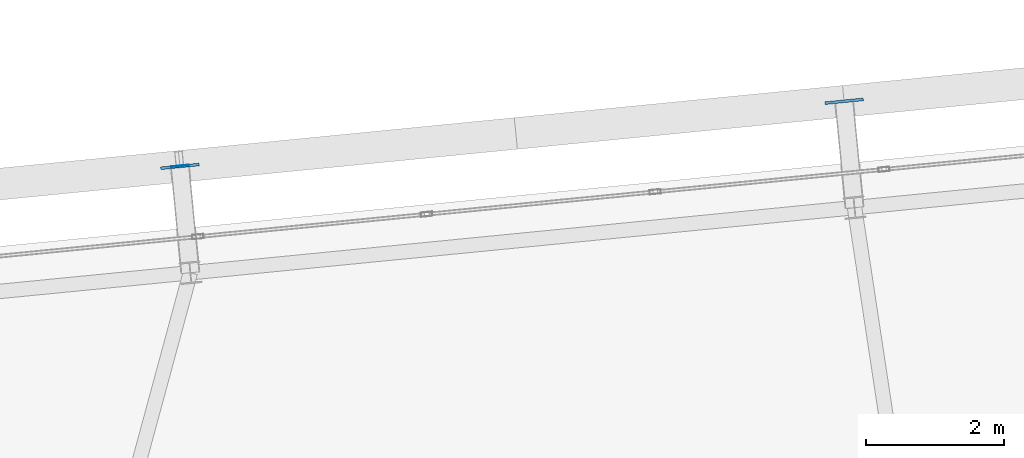
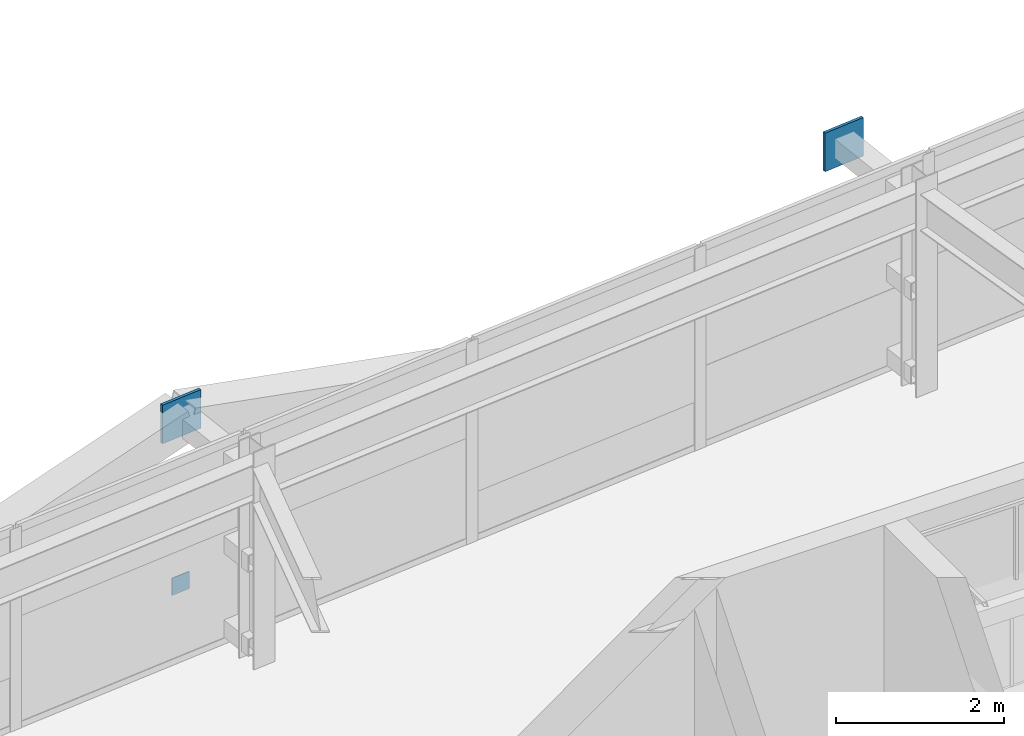
# One storey, part 44 of 52: 3 plates.
"""IFC4 building model written with IfcOpenShell, lengths in metres."""

import ifcopenshell
import ifcopenshell.guid

model = None  # the IFC model being written
_history = None  # IfcOwnerHistory: only IFC2X3 demands one
_inside = {}  # id of a spatial element -> (the spatial element, [elements in it])
_under = {}  # id of a project, library or spatial element -> (it, [spatial elements below it])
_declared = {}  # id of a project -> (the project, [libraries it declares])
_typed = {}  # id of a type object -> (the type object, [elements of that type])
_made_of = {}  # id of a material, layer set ... -> (it, [elements and type objects made of it])


def new_model(schema):
    """Start an empty IFC model of exactly this schema.

    Asked for "IFC4X3", IfcOpenShell would pick the latest addendum, in which some entities
    have other attributes; the version numbers below select the first issue.
    IFC2X3 requires an IfcOwnerHistory on every rooted entity: one is made here for all.
    """
    global model, _history
    if schema == "IFC4X3":
        model = ifcopenshell.file(schema_version=(4, 3, 0, 0))
    else:
        model = ifcopenshell.file(schema=schema)
    _inside.clear()
    _under.clear()
    _declared.clear()
    _typed.clear()
    _made_of.clear()
    _history = None
    if model.schema == "IFC2X3":
        org = make("IfcOrganization", Name="unknown")
        user = make(
            "IfcPersonAndOrganization",
            ThePerson=make("IfcPerson", FamilyName="unknown"),
            TheOrganization=org,
        )
        app = make(
            "IfcApplication",
            ApplicationDeveloper=org,
            Version="unknown",
            ApplicationFullName="unknown",
            ApplicationIdentifier="unknown",
        )
        _history = make(
            "IfcOwnerHistory",
            OwningUser=user,
            OwningApplication=app,
            ChangeAction="ADDED",
            CreationDate=0,
        )
    return model


def make(cls, **values):
    """One entity of the class cls with the attributes given. An attribute that is None is left unset."""
    return model.create_entity(
        cls, **{name: value for name, value in values.items() if value is not None}
    )


def rooted(cls, **values):
    """An entity with a GlobalId (a new one), such as an element, a storey or a relation."""
    return make(cls, GlobalId=ifcopenshell.guid.new(), OwnerHistory=_history, **values)


def si_unit(unit_type, name, prefix=None):
    """IfcSIUnit, for example si_unit("LENGTHUNIT", "METRE", prefix="MILLI")."""
    return make("IfcSIUnit", UnitType=unit_type, Prefix=prefix, Name=name)


def assignment(units):
    """IfcUnitAssignment: the units of a project."""
    return None if units is None else make("IfcUnitAssignment", Units=units)


def point(xyz):
    """IfcCartesianPoint."""
    return None if xyz is None else make("IfcCartesianPoint", Coordinates=xyz)


def direction(xyz):
    """IfcDirection."""
    return None if xyz is None else make("IfcDirection", DirectionRatios=xyz)


def frame(location, z_axis=None, x_axis=None):
    """IfcAxis2Placement3D, a coordinate frame: its origin and axes. An axis left out is left unset."""
    return make(
        "IfcAxis2Placement3D",
        Location=point(location),
        Axis=direction(z_axis),
        RefDirection=direction(x_axis),
    )


def frame_2d(location, x_axis=None):
    """IfcAxis2Placement2D, a coordinate frame in the plane: its origin and x axis."""
    return make(
        "IfcAxis2Placement2D", Location=point(location), RefDirection=direction(x_axis)
    )


def origin():
    """The frame at (0, 0, 0) with its axes left unset."""
    return frame((0.0, 0.0, 0.0))


def origin_2d():
    """The frame at (0, 0) in the plane with its x axis left unset."""
    return frame_2d((0.0, 0.0))


def place(relative_to, where):
    """IfcLocalPlacement: puts the frame where relative to a parent placement (None: the world)."""
    return make(
        "IfcLocalPlacement", PlacementRelTo=relative_to, RelativePlacement=where
    )


def context(
    kind, dimensions, precision=None, world=None, true_north=None, identifier=None
):
    """IfcGeometricRepresentationContext, for example the 3D "Model" context."""
    return make(
        "IfcGeometricRepresentationContext",
        ContextIdentifier=identifier,
        ContextType=kind,
        CoordinateSpaceDimension=dimensions,
        Precision=precision,
        WorldCoordinateSystem=world,
        TrueNorth=true_north,
    )


def subcontext(parent, identifier, kind, view, scale=None):
    """IfcGeometricRepresentationSubContext, for example "Body" below "Model"."""
    return make(
        "IfcGeometricRepresentationSubContext",
        ContextIdentifier=identifier,
        ContextType=kind,
        ParentContext=parent,
        TargetScale=scale,
        TargetView=view,
    )


def project(units=None, contexts=None):
    """IfcProject with its units and contexts."""
    return rooted(
        "IfcProject",
        Name="project",
        RepresentationContexts=contexts,
        UnitsInContext=assignment(units),
    )


def spatial(cls, under=None, at=None, **own):
    """A site, building, storey or space (cls), placed at a placement, below another one or the project."""
    s = rooted(cls, ObjectPlacement=at, **own)
    if under is not None:
        _under.setdefault(under.id(), (under, []))[1].append(s)
    return s


def profile(cls, at=None, kind="AREA", **sizes):
    """A parametric profile (cls). Its sizes go by their IFC names, for example OverallWidth=200.0."""
    return make(cls, ProfileType=kind, Position=at, **sizes)


def rectangle(**sizes):
    """IfcRectangleProfileDef."""
    return profile("IfcRectangleProfileDef", **sizes)


def extrude(swept, where, along, depth):
    """IfcExtrudedAreaSolid: the profile swept, set in the frame where, extruded along a direction by depth."""
    return make(
        "IfcExtrudedAreaSolid",
        SweptArea=swept,
        Position=where,
        ExtrudedDirection=direction(along),
        Depth=depth,
    )


def shape(context_of_items, identifier, shape_type, items):
    """IfcShapeRepresentation: the items that make up one representation, for example the "Body"."""
    return make(
        "IfcShapeRepresentation",
        ContextOfItems=context_of_items,
        RepresentationIdentifier=identifier,
        RepresentationType=shape_type,
        Items=items,
    )


def source(mapping_origin, context_of_items, identifier, shape_type, items):
    """IfcRepresentationMap: a shape defined once, which mapped items show again and again."""
    return make(
        "IfcRepresentationMap",
        MappingOrigin=mapping_origin,
        MappedRepresentation=shape(context_of_items, identifier, shape_type, items),
    )


def transform(
    local_origin,
    x_axis=None,
    y_axis=None,
    z_axis=None,
    scale=None,
    scale2=None,
    scale3=None,
    uniform=True,
):
    """IfcCartesianTransformationOperator3D, or its non-uniform kind. x_axis, y_axis, z_axis: its Axis1, 2, 3."""
    if uniform:
        return make(
            "IfcCartesianTransformationOperator3D",
            Axis1=direction(x_axis),
            Axis2=direction(y_axis),
            LocalOrigin=point(local_origin),
            Scale=scale,
            Axis3=direction(z_axis),
        )
    return make(
        "IfcCartesianTransformationOperator3DnonUniform",
        Axis1=direction(x_axis),
        Axis2=direction(y_axis),
        LocalOrigin=point(local_origin),
        Scale=scale,
        Axis3=direction(z_axis),
        Scale2=scale2,
        Scale3=scale3,
    )


def mapped(mapping_source, mapping_target):
    """IfcMappedItem: shows the shape of a source again, moved by a transform."""
    return make(
        "IfcMappedItem", MappingSource=mapping_source, MappingTarget=mapping_target
    )


def material(Name=None, Category=None):
    """IfcMaterial."""
    return make("IfcMaterial", Name=Name, Category=Category)


def layer(
    of_material, thickness, ventilated=None, Name=None, Category=None, Priority=None
):
    """IfcMaterialLayer: one layer of a wall or slab, of a material (None: an air gap)."""
    return make(
        "IfcMaterialLayer",
        Material=of_material,
        LayerThickness=thickness,
        IsVentilated=ventilated,
        Name=Name,
        Category=Category,
        Priority=Priority,
    )


def layer_set(layers, Name=None):
    """IfcMaterialLayerSet."""
    return make("IfcMaterialLayerSet", MaterialLayers=layers, LayerSetName=Name)


def made_of(thing, what):
    """Note that an element or type object is made of a material, layer set ...; save() writes the relation."""
    if what is not None:
        _made_of.setdefault(what.id(), (what, []))[1].append(thing)
    return thing


def type_object(cls, material=None, **own):
    """A type object (cls), such as IfcWallType, which elements share."""
    return made_of(rooted(cls, **own), material)


def element(
    cls,
    number,
    at=None,
    inside=None,
    cuts=None,
    type_object=None,
    material=None,
    context=None,
    identifier="Body",
    shape_type=None,
    held_by="IfcProductDefinitionShape",
    body=None,
    shapes=None,
    **own,
):
    """One element of the class cls, such as IfcWall. Its Tag is "e" and its number.

    at: its placement. inside: the storey or other place that contains it. cuts: it is an
    opening in that element (IfcRelVoidsElement). A single representation is given by context,
    identifier, shape_type and body (its items); several are given by shapes. held_by: the class
    of the entity that holds the representations. save() writes the other relations.
    """
    e = rooted(cls, Tag="e%d" % number, ObjectPlacement=at, **own)
    if body is not None:
        shapes = [shape(context, identifier, shape_type, body)]
    if shapes is not None:
        e.Representation = make(held_by, Representations=shapes)
    if inside is not None:
        _inside.setdefault(inside.id(), (inside, []))[1].append(e)
    if cuts is not None:
        rooted(
            "IfcRelVoidsElement", RelatingBuildingElement=cuts, RelatedOpeningElement=e
        )
    if type_object is not None:
        _typed.setdefault(type_object.id(), (type_object, []))[1].append(e)
    return made_of(e, material)


def aggregate(whole, parts):
    """IfcRelAggregates: a whole, such as a stair, and the parts it consists of."""
    return rooted("IfcRelAggregates", RelatingObject=whole, RelatedObjects=parts)


def save(model, path):
    """Write the relations noted so far, then the file.

    IfcRelAggregates (storeys below a building ...), IfcRelContainedInSpatialStructure (elements
    in a storey), IfcRelDefinesByType, IfcRelAssociatesMaterial and IfcRelDeclares: one each for
    every whole, place, type object, material and project.
    """
    for whole, parts in _under.values():
        aggregate(whole, parts)
    for where, things in _inside.values():
        rooted(
            "IfcRelContainedInSpatialStructure",
            RelatedElements=things,
            RelatingStructure=where,
        )
    for kind, things in _typed.values():
        rooted("IfcRelDefinesByType", RelatedObjects=things, RelatingType=kind)
    for what, things in _made_of.values():
        rooted("IfcRelAssociatesMaterial", RelatedObjects=things, RelatingMaterial=what)
    for by, libraries in _declared.values():
        rooted("IfcRelDeclares", RelatingContext=by, RelatedDefinitions=libraries)
    model.write(path)


model = new_model("IFC4")

# Units and contexts
model_context = context("Model", 3, precision=1e-05, world=origin(), true_north=direction((0.0, 1.0)))
body_context = subcontext(model_context, "Body", "Model", "MODEL_VIEW")
ifc_project = project(units=[si_unit("LENGTHUNIT", "METRE"), si_unit("AREAUNIT", "SQUARE_METRE"), si_unit("VOLUMEUNIT", "CUBIC_METRE"), si_unit("PLANEANGLEUNIT", "RADIAN"), si_unit("MASSUNIT", "GRAM", prefix="KILO")], contexts=[model_context])

# Site, building, storey
site_placement = place(None, origin())
site = spatial("IfcSite", under=ifc_project, at=site_placement, CompositionType="ELEMENT")
building_placement = place(site_placement, origin())
building = spatial("IfcBuilding", under=site, at=building_placement, Name="Taldren Reach Tower", CompositionType="ELEMENT")
storey_placement = place(building_placement, frame((0.0, 0.0, 74.550048828125)))
storey = spatial("IfcBuildingStorey", under=building, at=storey_placement, Name="L22", CompositionType="ELEMENT", Elevation=74.550048828125)

# Plates
ifc_material_1 = material(Name="Steel Gr 450 (C450L0)", Category="steel")
ifc_layer_1 = layer(ifc_material_1, 0.0400390625)
ifc_layer_set_1 = layer_set([ifc_layer_1], Name="Steel Gr 450 (C450L0)")
plate_type_1 = type_object("IfcPlateType", Name="PL-GUSSET-40", PredefinedType="SHEET", material=ifc_layer_set_1)
shared_shape_1 = source(origin(), body_context, "Body", "SweptSolid", [
    extrude(rectangle(XDim=0.56005859375, YDim=0.0400390625, at=origin_2d()), origin(), (0.0, 0.0, 1.0), 0.56005859375),
])
for number, where, z_axis, x_axis, name in (
    (1, (40.346923828125, 38.333251953125, 2.369873046875), (0.0, 0.0, 1.0), (0.995227399982, 0.097582899759, 0.0), "Exoskeleton star-node gusset plate B2-N4 L22"),
    (2, (49.980712890625, 39.27783203125, 2.369873046875), (0.0, 0.0, 1.0), (0.995227399982, 0.097582899759, 0.0), "Exoskeleton star-node gusset plate B2-N5 L22"),
):
    element("IfcPlate", number, at=place(storey_placement, frame(where, z_axis=z_axis, x_axis=x_axis)), inside=storey, type_object=plate_type_1, Name=name, PredefinedType="SHEET", context=body_context, shape_type="MappedRepresentation", body=[
        mapped(shared_shape_1, transform((0.0, 0.0, 0.0), scale=1.0)),
    ])
ifc_material_2 = material(Name="Steel Gr 350 (C350L0)", Category="steel")
ifc_layer_2 = layer(ifc_material_2, 0.011962890625)
ifc_layer_set_2 = layer_set([ifc_layer_2], Name="Steel Gr 350 (C350L0)")
plate_type_2 = type_object("IfcPlateType", Name="PL-CAP-250", PredefinedType="SHEET", material=ifc_layer_set_2)
shared_shape_2 = source(origin(), body_context, "Body", "SweptSolid", [
    extrude(rectangle(XDim=0.25, YDim=0.011962890625, at=origin_2d()), origin(), (0.0, 0.0, 1.0), 0.25),
])
plate_placement = place(storey_placement, frame((40.346435546875, 38.33935546875, 0.094970703125), z_axis=(0.0, 0.0, 1.0), x_axis=(0.995227399982, 0.097582899759, 0.0)))
element("IfcPlate", 3, at=plate_placement, inside=storey, type_object=plate_type_2, Name="Tie strut end cap plate B2-N4 L22", PredefinedType="SHEET", context=body_context, shape_type="MappedRepresentation", body=[
    mapped(shared_shape_2, transform((0.0, 0.0, 0.0), scale=1.0)),
])

save(model, "model.ifc")
